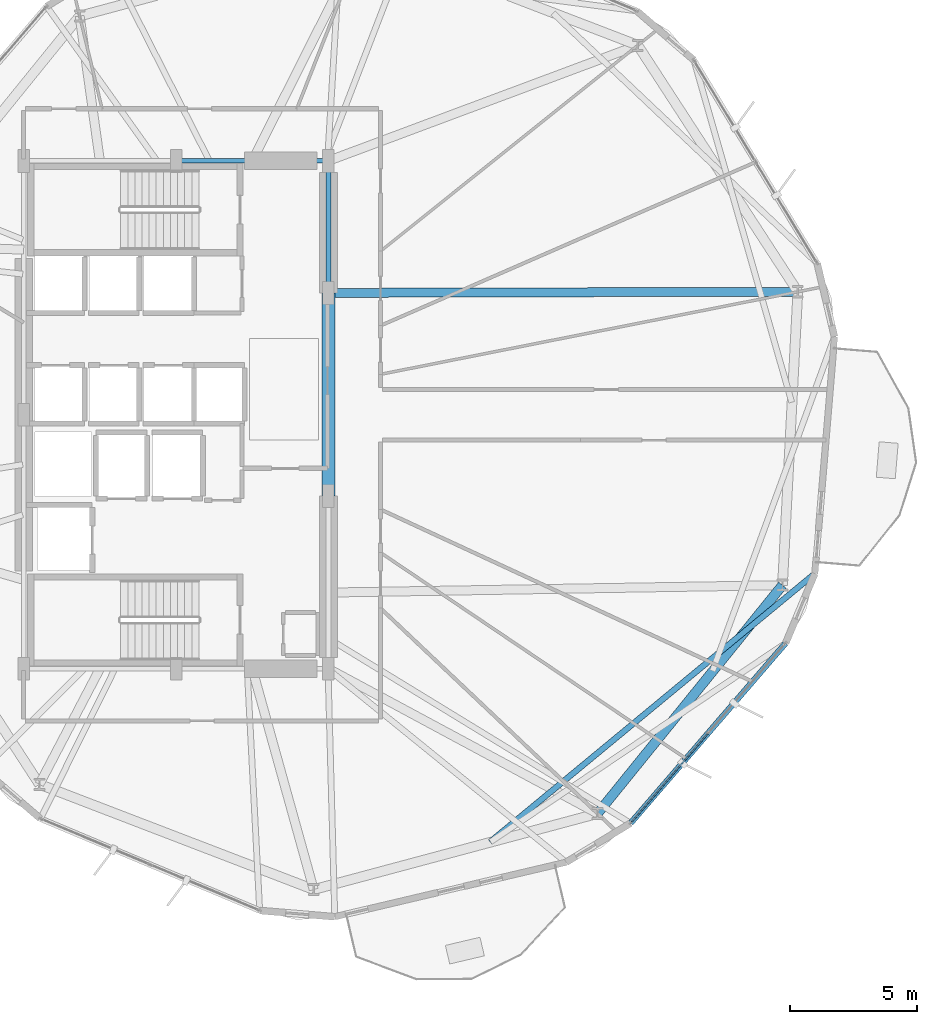
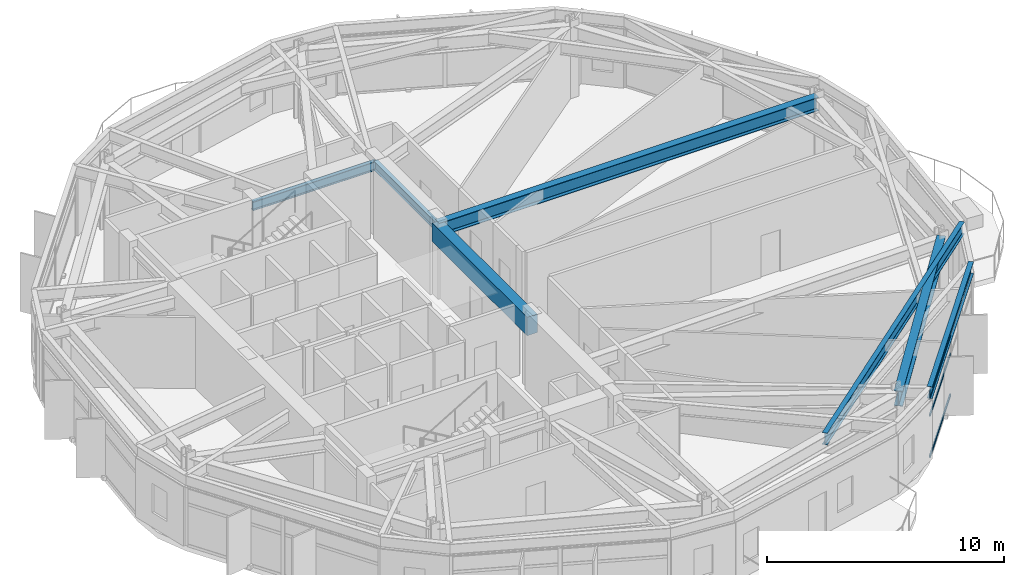
# One storey, part 8 of 21: 7 beams, 3 members, 1 element without a shape of its own.
"""IFC4 building model written with IfcOpenShell, lengths in metres."""

from ifc_helpers import new_model, si_unit, direction, frame, origin, origin_2d, place, context, subcontext, project, spatial, rectangle, hollow_rectangle, i_section, extrude, material, layer, layer_set, material_profile, profile_set, type_object, element, aggregate, save


model = new_model("IFC4")

# Units and contexts
model_context = context("Model", 3, precision=1e-05, world=origin(), true_north=direction((0.0, 1.0)))
body_context = subcontext(model_context, "Body", "Model", "MODEL_VIEW")
ifc_project = project(units=[si_unit("LENGTHUNIT", "METRE"), si_unit("AREAUNIT", "SQUARE_METRE"), si_unit("VOLUMEUNIT", "CUBIC_METRE"), si_unit("PLANEANGLEUNIT", "RADIAN"), si_unit("MASSUNIT", "GRAM", prefix="KILO")], contexts=[model_context])

# Site, building, storey
site_placement = place(None, origin())
site = spatial("IfcSite", under=ifc_project, at=site_placement, CompositionType="ELEMENT")
building_placement = place(site_placement, origin())
building = spatial("IfcBuilding", under=site, at=building_placement, Name="Soratama Intermodal Tower", CompositionType="ELEMENT")
storey_placement = place(building_placement, frame((0.0, 0.0, 78.60009765625)))
storey = spatial("IfcBuildingStorey", under=building, at=storey_placement, Name="L18", CompositionType="ELEMENT", Elevation=78.60009765625)

# Beams
ifc_material_1 = material(Name="Concrete f'c 56 MPa", Category="concrete")
ifc_material_profile_1 = material_profile(ifc_material_1, rectangle(XDim=0.5, YDim=0.949951171875, at=origin_2d()), Name="RC500X950")
ifc_profile_set_1 = profile_set([ifc_material_profile_1], Name="Concrete f'c 56 MPa")
beam_type_1 = type_object("IfcBeamType", Name="BM-CPL-RC500X950", PredefinedType="BEAM", material=ifc_profile_set_1)
beam_1_placement = place(storey_placement, frame((44.60009765625, 21.800048828125, 3.184814453125), z_axis=(0.0, 1.0, 0.0), x_axis=(-1.0, 0.0, 0.0)))
element("IfcBeam", 1, at=beam_1_placement, inside=storey, type_object=beam_type_1, Name="L18 Core Coupling Beam East", PredefinedType="BEAM", context=body_context, shape_type="SweptSolid", body=[
    extrude(rectangle(XDim=0.5, YDim=0.949951171875, at=origin_2d()), origin(), (0.0, 0.0, 1.0), 8.0),
])
ifc_material_2 = material(Name="Structural steel ASTM A992 Grade 50", Category="steel")
ifc_material_profile_2 = material_profile(ifc_material_2, i_section(OverallWidth=0.19091796875, OverallDepth=0.4599609375, WebThickness=0.010009765625, FlangeThickness=0.01611328125, FilletRadius=0.010986328125, at=origin_2d()), Name="W18X55")
ifc_profile_set_2 = profile_set([ifc_material_profile_2], Name="Structural steel ASTM A992 Grade 50")
beam_type_2 = type_object("IfcBeamType", Name="BM-FLR-W18X55", PredefinedType="BEAM", material=ifc_profile_set_2)
beam_2_placement = place(storey_placement, frame((44.60009765625, 29.800048828125, 3.429931640625), z_axis=(0.0, 1.0, 0.0), x_axis=(-1.0, 0.0, 0.0)))
element("IfcBeam", 2, at=beam_2_placement, inside=storey, type_object=beam_type_2, Name="BM-L18-CRING-05", PredefinedType="BEAM", context=body_context, shape_type="SweptSolid", body=[
    extrude(i_section(OverallWidth=0.19091796875, OverallDepth=0.4599609375, WebThickness=0.010009765625, FlangeThickness=0.01611328125, FilletRadius=0.010986328125, at=origin_2d()), origin(), (0.0, 0.0, 1.0), 5.199951171875),
])
beam_3_placement = place(storey_placement, frame((44.60009765625, 35.0, 3.429931640625), z_axis=(-1.0, 0.0, 0.0), x_axis=(0.0, -1.0, 0.0)))
element("IfcBeam", 3, at=beam_3_placement, inside=storey, type_object=beam_type_2, Name="BM-L18-CRING-06", PredefinedType="BEAM", context=body_context, shape_type="SweptSolid", body=[
    extrude(i_section(OverallWidth=0.19091796875, OverallDepth=0.4599609375, WebThickness=0.010009765625, FlangeThickness=0.01611328125, FilletRadius=0.010986328125, at=origin_2d()), origin(), (0.0, 0.0, 1.0), 6.0),
])
ifc_material_3 = material(Name="Structural steel ASTM A992 Grade 50", Category="steel")
ifc_material_profile_3 = material_profile(ifc_material_3, i_section(OverallWidth=0.35498046875, OverallDepth=0.695068359375, WebThickness=0.015380859375, FlangeThickness=0.02490234375, FilletRadius=0.01611328125, at=origin_2d()), Name="W27X146")
ifc_profile_set_3 = profile_set([ifc_material_profile_3], Name="Structural steel ASTM A992 Grade 50")
beam_type_3 = type_object("IfcBeamType", Name="BM-RING-W27X146", PredefinedType="BEAM", material=ifc_profile_set_3)
beam_4_placement = place(storey_placement, frame((44.60009765625, 29.800048828125, 3.3125), z_axis=(0.999997046146, 0.002430575896, 0.0), x_axis=(-0.002430575896, 0.999997046146, 0.0)))
element("IfcBeam", 4, at=beam_4_placement, inside=storey, type_object=beam_type_3, Name="BM-L18-RAD-01", PredefinedType="BEAM", context=body_context, shape_type="SweptSolid", body=[
    extrude(i_section(OverallWidth=0.35498046875, OverallDepth=0.695068359375, WebThickness=0.015380859375, FlangeThickness=0.02490234375, FilletRadius=0.01611328125, at=origin_2d()), origin(), (0.0, 0.0, 1.0), 18.48193359375),
])
ifc_material_4 = material(Name="Structural steel ASTM A992 Grade 50", Category="steel")
ifc_material_profile_4 = material_profile(ifc_material_4, i_section(OverallWidth=0.382080078125, OverallDepth=0.779052734375, WebThickness=0.01806640625, FlangeThickness=0.030029296875, FilletRadius=0.01806640625, at=origin_2d()), Name="W30X191")
ifc_profile_set_4 = profile_set([ifc_material_profile_4], Name="Structural steel ASTM A992 Grade 50")
beam_type_4 = type_object("IfcBeamType", Name="BM-RING-W30X191", PredefinedType="BEAM", material=ifc_profile_set_4)
beam_5_placement = place(storey_placement, frame((55.196044921875, 9.300048828125, 3.2705078125), z_axis=(0.629334198857, 0.777134779912, 0.0), x_axis=(-0.777134779912, 0.629334198857, 0.0)))
element("IfcBeam", 5, at=beam_5_placement, inside=storey, type_object=beam_type_4, Name="BM-L18-RING-09", PredefinedType="BEAM", context=body_context, shape_type="SweptSolid", body=[
    extrude(i_section(OverallWidth=0.382080078125, OverallDepth=0.779052734375, WebThickness=0.01806640625, FlangeThickness=0.030029296875, FilletRadius=0.01806640625, at=origin_2d()), origin(), (0.0, 0.0, 1.0), 11.5693359375),
])
ifc_material_5 = material(Name="Structural steel ASTM A992 Grade 50", Category="steel")
ifc_material_profile_5 = material_profile(ifc_material_5, i_section(OverallWidth=0.22900390625, OverallDepth=0.612060546875, WebThickness=0.011962890625, FlangeThickness=0.01953125, FilletRadius=0.012939453125, at=origin_2d()), Name="W24X84")
ifc_profile_set_5 = profile_set([ifc_material_profile_5], Name="Structural steel ASTM A992 Grade 50")
beam_type_5 = type_object("IfcBeamType", Name="BM-SPN-W24X84", PredefinedType="SPANDREL", material=ifc_profile_set_5)
beam_6_placement = place(storey_placement, frame((56.4970703125, 8.9189453125, 3.35400390625), z_axis=(0.652645004589, 0.757663842337, 0.0), x_axis=(-0.757663842337, 0.652645004589, 0.0)))
element("IfcBeam", 6, at=beam_6_placement, inside=storey, type_object=beam_type_5, Name="BS-L18-F09", PredefinedType="SPANDREL", context=body_context, shape_type="SweptSolid", body=[
    extrude(i_section(OverallWidth=0.22900390625, OverallDepth=0.612060546875, WebThickness=0.011962890625, FlangeThickness=0.01953125, FilletRadius=0.012939453125, at=origin_2d()), origin(), (0.0, 0.0, 1.0), 9.36181640625),
])
ifc_material_6 = material(Name="Structural steel ASTM A992 Grade 50", Category="steel")
ifc_material_profile_6 = material_profile(ifc_material_6, i_section(OverallWidth=0.22900390625, OverallDepth=0.612060546875, WebThickness=0.011962890625, FlangeThickness=0.01953125, FilletRadius=0.012939453125, at=origin_2d()), Name="W24X84")
ifc_profile_set_6 = profile_set([ifc_material_profile_6], Name="Structural steel ASTM A992 Grade 50")
beam_type_6 = type_object("IfcBeamType", Name="BM-TIE-W24X84", PredefinedType="BEAM", material=ifc_profile_set_6)
beam_7_placement = place(storey_placement, frame((50.967041015625, 8.18408203125, 3.35400390625), z_axis=(0.770911154738, 0.636942690907, 0.0), x_axis=(-0.636942690907, 0.770911154738, 0.0)))
element("IfcBeam", 7, at=beam_7_placement, inside=storey, type_object=beam_type_6, Name="BM-L18-TIE0-10", PredefinedType="BEAM", context=body_context, shape_type="SweptSolid", body=[
    extrude(i_section(OverallWidth=0.22900390625, OverallDepth=0.612060546875, WebThickness=0.011962890625, FlangeThickness=0.01953125, FilletRadius=0.012939453125, at=origin_2d()), origin(), (0.0, 0.0, 1.0), 16.58544921875),
])

# Curtain wall, members
ifc_material_7 = material(Name="Double-glazed aluminium curtain wall", Category="aluminium")
ifc_layer = layer(ifc_material_7, 0.159912109375)
ifc_layer_set = layer_set([ifc_layer], Name="Double-glazed aluminium curtain wall")
curtain_wall_type = type_object("IfcCurtainWallType", Name="CW-SYS-2", PredefinedType="NOTDEFINED", material=ifc_layer_set)
curtain_wall_placement = place(storey_placement, origin())
curtain_wall = element("IfcCurtainWall", 8, at=curtain_wall_placement, inside=storey, type_object=curtain_wall_type, Name="L18 Faceted Curtain Wall F09", PredefinedType="NOTDEFINED")
ifc_material_8 = material(Name="Anodised aluminium AA 6063-T6", Category="aluminium")
ifc_material_profile_7 = material_profile(ifc_material_8, hollow_rectangle(XDim=0.06494140625, YDim=0.14990234375, WallThickness=0.0048828125, InnerFilletRadius=0.0048828125, OuterFilletRadius=0.010009765625, at=origin_2d()), Name="CWT150X65X5")
ifc_profile_set_7 = profile_set([ifc_material_profile_7], Name="Anodised aluminium AA 6063-T6")
member_type = type_object("IfcMemberType", Name="TT-CWT-1", PredefinedType="USERDEFINED", material=ifc_profile_set_7)
member_1_placement = place(storey_placement, frame((56.536376953125, 8.96484375, 0.02978515625), z_axis=(0.652607111761, 0.757696481237, 0.0), x_axis=(-0.757696481237, 0.652607111761, 0.0)))
member_1 = element("IfcMember", 9, at=member_1_placement, type_object=member_type, Name="CW-2 transom 1.1", ObjectType="TRANSOM", PredefinedType="USERDEFINED", context=body_context, shape_type="SweptSolid", body=[
    extrude(hollow_rectangle(XDim=0.06494140625, YDim=0.14990234375, WallThickness=0.0048828125, InnerFilletRadius=0.0048828125, OuterFilletRadius=0.010009765625, at=origin_2d()), origin(), (0.0, 0.0, 1.0), 4.590576171875),
])
member_2_placement = place(storey_placement, frame((56.536376953125, 8.96484375, 2.14990234375), z_axis=(0.652607111761, 0.757696481237, 0.0), x_axis=(-0.757696481237, 0.652607111761, 0.0)))
member_2 = element("IfcMember", 10, at=member_2_placement, type_object=member_type, Name="CW-2 transom 1.2", ObjectType="TRANSOM", PredefinedType="USERDEFINED", context=body_context, shape_type="SweptSolid", body=[
    extrude(hollow_rectangle(XDim=0.06494140625, YDim=0.14990234375, WallThickness=0.0048828125, InnerFilletRadius=0.0048828125, OuterFilletRadius=0.010009765625, at=origin_2d()), origin(), (0.0, 0.0, 1.0), 4.590576171875),
])
member_3_placement = place(storey_placement, frame((56.536376953125, 8.96484375, 3.0087890625), z_axis=(0.652607111761, 0.757696481237, 0.0), x_axis=(-0.757696481237, 0.652607111761, 0.0)))
member_3 = element("IfcMember", 11, at=member_3_placement, type_object=member_type, Name="CW-2 transom 1.3", ObjectType="TRANSOM", PredefinedType="USERDEFINED", context=body_context, shape_type="SweptSolid", body=[
    extrude(hollow_rectangle(XDim=0.06494140625, YDim=0.14990234375, WallThickness=0.0048828125, InnerFilletRadius=0.0048828125, OuterFilletRadius=0.010009765625, at=origin_2d()), origin(), (0.0, 0.0, 1.0), 4.590576171875),
])
aggregate(curtain_wall, [member_1, member_2, member_3])

save(model, "model.ifc")
